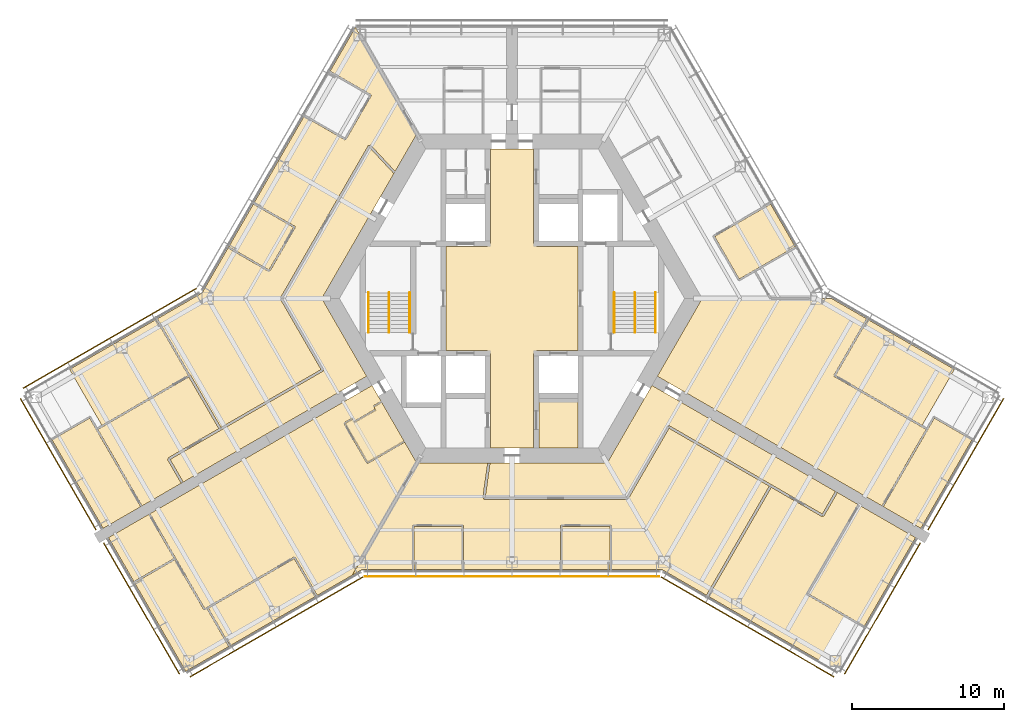
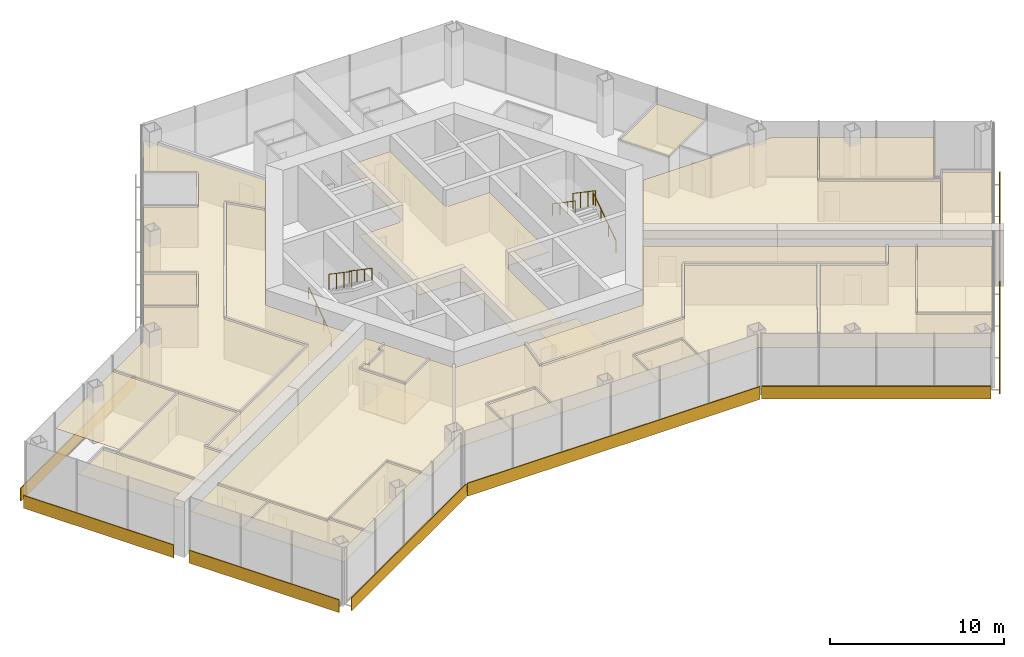
# One storey, part 17 of 18: 24 coverings, 8 shading devices, 6 railings.
"""IFC4 building model written with IfcOpenShell, lengths in metres."""

from ifc_helpers import new_model, si_unit, direction, frame, origin, origin_2d, place, context, subcontext, project, spatial, polyline, rectangle, circle, outline, extrude, material, layer, layer_set, type_object, element, save


model = new_model("IFC4")

# Units and contexts
model_context = context("Model", 3, precision=1e-05, world=origin(), true_north=direction((0.0, 1.0)))
body_context = subcontext(model_context, "Body", "Model", "MODEL_VIEW")
ifc_project = project(units=[si_unit("LENGTHUNIT", "METRE"), si_unit("AREAUNIT", "SQUARE_METRE"), si_unit("VOLUMEUNIT", "CUBIC_METRE"), si_unit("PLANEANGLEUNIT", "RADIAN"), si_unit("MASSUNIT", "GRAM", prefix="KILO")], contexts=[model_context])

# Site, building, storey
site_placement = place(None, origin())
site = spatial("IfcSite", under=ifc_project, at=site_placement, CompositionType="ELEMENT")
building_placement = place(site_placement, origin())
building = spatial("IfcBuilding", under=site, at=building_placement, Name="Kasaneha Research Tower", CompositionType="ELEMENT")
storey_placement = place(building_placement, frame((0.0, 0.0, 183.800048828125)))
storey = spatial("IfcBuildingStorey", under=building, at=storey_placement, Name="L46", CompositionType="ELEMENT", Elevation=183.800048828125)

# Covering
ifc_material_1 = material(Name="Aluminium panel ceiling", Category="aluminium")
ifc_layer_1 = layer(ifc_material_1, 0.0400390625)
ifc_layer_set_1 = layer_set([ifc_layer_1], Name="Lift lobby ceiling 40")
covering_type_1 = type_object("IfcCoveringType", Name="Lift lobby ceiling 40", PredefinedType="CEILING", material=ifc_layer_set_1)
covering_1_placement = place(storey_placement, frame((0.0, 0.0, 2.699951171875)))
element("IfcCovering", 1, at=covering_1_placement, inside=storey, type_object=covering_type_1, Name="Ceiling L46-01", PredefinedType="CEILING", context=body_context, shape_type="SweptSolid", body=[
    extrude(outline(polyline([(1.425048828125, 9.824951171875), (1.425048828125, 3.60009765625), (1.60009765625, 3.60009765625), (1.60009765625, 3.425048828125), (4.324951171875, 3.425048828125), (4.324951171875, -3.425048828125), (1.60009765625, -3.425048828125), (1.60009765625, -3.60009765625), (1.425048828125, -3.60009765625), (1.425048828125, -9.824951171875), (-1.425048828125, -9.824951171875), (-1.425048828125, -3.60009765625), (-1.60009765625, -3.60009765625), (-1.60009765625, -3.425048828125), (-4.324951171875, -3.425048828125), (-4.324951171875, 3.425048828125), (-1.60009765625, 3.425048828125), (-1.60009765625, 3.60009765625), (-1.425048828125, 3.60009765625), (-1.425048828125, 9.824951171875), (1.425048828125, 9.824951171875)])), origin(), (0.0, 0.0, 1.0), 0.0400390625),
])

# Railings
ifc_material_2 = material(Name="Steel", Category="steel")
railing_type_1 = type_object("IfcRailingType", Name="Stair balustrade 1100", PredefinedType="GUARDRAIL", material=ifc_material_2)
for number, where, name in (
    (2, (8.074951171875, 0.375, 2.127197265625), "Stair 1 balustrade L46"),
    (3, (-8.074951171875, 0.375, 2.127197265625), "Stair 2 balustrade L46"),
):
    element("IfcRailing", number, at=place(storey_placement, frame(where)), inside=storey, type_object=railing_type_1, Name=name, PredefinedType="GUARDRAIL", context=body_context, shape_type="SweptSolid", body=[
        extrude(circle(Radius=0.02392578125, at=origin_2d()), frame((0.0, 0.0, 1.076171875), z_axis=(0.0, -0.826240473404, 0.563317565952), x_axis=(1.0, 0.0, 0.0)), (0.0, 0.0, 1.0), 3.14697265625),
        extrude(circle(Radius=0.02099609375, at=origin_2d()), origin(), (0.0, 0.0, 1.0), 1.052001953125),
        extrude(circle(Radius=0.02099609375, at=origin_2d()), frame((0.0, -0.86669921875, 0.5908203125)), (0.0, 0.0, 1.0), 1.052001953125),
        extrude(circle(Radius=0.02099609375, at=origin_2d()), frame((0.0, -1.7333984375, 1.181884765625)), (0.0, 0.0, 1.0), 1.052001953125),
        extrude(circle(Radius=0.02099609375, at=origin_2d()), frame((0.0, -2.60009765625, 1.772705078125)), (0.0, 0.0, 1.0), 1.052001953125),
    ])
ifc_material_3 = material(Name="Steel", Category="steel")
railing_type_2 = type_object("IfcRailingType", Name="Stair handrail 850", PredefinedType="HANDRAIL", material=ifc_material_3)
railing_1_placement = place(storey_placement, frame((9.425048828125, -2.22509765625, 0.17724609375)))
element("IfcRailing", 4, at=railing_1_placement, inside=storey, type_object=railing_type_2, Name="Stair 1 handrail L46", PredefinedType="HANDRAIL", context=body_context, shape_type="SweptSolid", body=[
    extrude(circle(Radius=0.02392578125, at=origin_2d()), frame((0.0, 0.0, 0.826171875), z_axis=(0.0, 0.826240473404, 0.563317565952), x_axis=(-1.0, 0.0, 0.0)), (0.0, 0.0, 1.0), 3.14697265625),
    extrude(circle(Radius=0.02099609375, at=origin_2d()), origin(), (0.0, 0.0, 1.0), 0.802001953125),
    extrude(circle(Radius=0.02099609375, at=origin_2d()), frame((0.0, 0.86669921875, 0.5908203125)), (0.0, 0.0, 1.0), 0.802001953125),
    extrude(circle(Radius=0.02099609375, at=origin_2d()), frame((0.0, 1.7333984375, 1.181884765625)), (0.0, 0.0, 1.0), 0.802001953125),
    extrude(circle(Radius=0.02099609375, at=origin_2d()), frame((0.0, 2.60009765625, 1.772705078125)), (0.0, 0.0, 1.0), 0.802001953125),
])
railing_2_placement = place(storey_placement, frame((6.72509765625, 0.375, 2.127197265625)))
element("IfcRailing", 5, at=railing_2_placement, inside=storey, type_object=railing_type_2, Name="Stair 1 handrail L46", PredefinedType="HANDRAIL", context=body_context, shape_type="SweptSolid", body=[
    extrude(circle(Radius=0.02392578125, at=origin_2d()), frame((0.0, 0.0, 0.826171875), z_axis=(0.0, -0.826240473404, 0.563317565952), x_axis=(1.0, 0.0, 0.0)), (0.0, 0.0, 1.0), 3.14697265625),
    extrude(circle(Radius=0.02099609375, at=origin_2d()), origin(), (0.0, 0.0, 1.0), 0.802001953125),
    extrude(circle(Radius=0.02099609375, at=origin_2d()), frame((0.0, -0.86669921875, 0.5908203125)), (0.0, 0.0, 1.0), 0.802001953125),
    extrude(circle(Radius=0.02099609375, at=origin_2d()), frame((0.0, -1.7333984375, 1.181884765625)), (0.0, 0.0, 1.0), 0.802001953125),
    extrude(circle(Radius=0.02099609375, at=origin_2d()), frame((0.0, -2.60009765625, 1.772705078125)), (0.0, 0.0, 1.0), 0.802001953125),
])
railing_3_placement = place(storey_placement, frame((-9.425048828125, -2.22509765625, 0.17724609375)))
element("IfcRailing", 6, at=railing_3_placement, inside=storey, type_object=railing_type_2, Name="Stair 2 handrail L46", PredefinedType="HANDRAIL", context=body_context, shape_type="SweptSolid", body=[
    extrude(circle(Radius=0.02392578125, at=origin_2d()), frame((0.0, 0.0, 0.826171875), z_axis=(0.0, 0.826240473404, 0.563317565952), x_axis=(-1.0, 0.0, 0.0)), (0.0, 0.0, 1.0), 3.14697265625),
    extrude(circle(Radius=0.02099609375, at=origin_2d()), origin(), (0.0, 0.0, 1.0), 0.802001953125),
    extrude(circle(Radius=0.02099609375, at=origin_2d()), frame((0.0, 0.86669921875, 0.5908203125)), (0.0, 0.0, 1.0), 0.802001953125),
    extrude(circle(Radius=0.02099609375, at=origin_2d()), frame((0.0, 1.7333984375, 1.181884765625)), (0.0, 0.0, 1.0), 0.802001953125),
    extrude(circle(Radius=0.02099609375, at=origin_2d()), frame((0.0, 2.60009765625, 1.772705078125)), (0.0, 0.0, 1.0), 0.802001953125),
])
railing_4_placement = place(storey_placement, frame((-6.72509765625, 0.375, 2.127197265625)))
element("IfcRailing", 7, at=railing_4_placement, inside=storey, type_object=railing_type_2, Name="Stair 2 handrail L46", PredefinedType="HANDRAIL", context=body_context, shape_type="SweptSolid", body=[
    extrude(circle(Radius=0.02392578125, at=origin_2d()), frame((0.0, 0.0, 0.826171875), z_axis=(0.0, -0.826240473404, 0.563317565952), x_axis=(1.0, 0.0, 0.0)), (0.0, 0.0, 1.0), 3.14697265625),
    extrude(circle(Radius=0.02099609375, at=origin_2d()), origin(), (0.0, 0.0, 1.0), 0.802001953125),
    extrude(circle(Radius=0.02099609375, at=origin_2d()), frame((0.0, -0.86669921875, 0.5908203125)), (0.0, 0.0, 1.0), 0.802001953125),
    extrude(circle(Radius=0.02099609375, at=origin_2d()), frame((0.0, -1.7333984375, 1.181884765625)), (0.0, 0.0, 1.0), 0.802001953125),
    extrude(circle(Radius=0.02099609375, at=origin_2d()), frame((0.0, -2.60009765625, 1.772705078125)), (0.0, 0.0, 1.0), 0.802001953125),
])

# Coverings
ifc_material_4 = material(Name="Gypsum ceiling board", Category="gypsum")
ifc_layer_2 = layer(ifc_material_4, 0.02001953125)
ifc_layer_set_2 = layer_set([ifc_layer_2], Name="Suspended ceiling 20")
covering_type_2 = type_object("IfcCoveringType", Name="Suspended ceiling 20", PredefinedType="CEILING", material=ifc_layer_set_2)
covering_2_placement = place(storey_placement, frame((0.0, 0.0, 2.800048828125)))
element("IfcCovering", 8, at=covering_2_placement, inside=storey, type_object=covering_type_2, Name="Ceiling L46-27", PredefinedType="CEILING", context=body_context, shape_type="SweptSolid", body=[
    extrude(outline(polyline([(18.63720703125, 3.360595703125), (18.619873046875, 3.3505859375), (18.5947265625, 3.393798828125), (15.923095703125, 1.851318359375), (15.923095703125, 1.851318359375), (14.931396484375, 1.27880859375), (13.316162109375, 4.076904296875), (16.99658203125, 6.201904296875), (18.63720703125, 3.360595703125)])), origin(), (0.0, 0.0, 1.0), 0.02001953125),
])
covering_3_placement = place(storey_placement, frame((0.0, 0.0, 2.800048828125)))
element("IfcCovering", 9, at=covering_3_placement, inside=storey, type_object=covering_type_2, Name="Ceiling L46-33", PredefinedType="CEILING", context=body_context, shape_type="SweptSolid", body=[
    extrude(outline(polyline([(-9.5498046875, -5.109375), (-10.3291015625, -5.559326171875), (-10.3291015625, -5.559326171875), (-12.17041015625, -6.622314453125), (-21.670166015625, -12.107177734375), (-21.68017578125, -12.08984375), (-21.615234375, -12.05224609375), (-22.4677734375, -10.57568359375), (-19.134033203125, -8.651123046875), (-19.134033203125, -8.651123046875), (-12.404052734375, -4.765380859375), (-12.441650390625, -4.700439453125), (-12.376708984375, -4.6630859375), (-15.06884765625, 0.0), (-9.345947265625, 9.912353515625), (-7.7890625, 8.24267578125), (-7.734130859375, 8.2939453125), (-7.719970703125, 8.278564453125), (-12.49951171875, 0.0), (-9.5498046875, -5.109375)])), origin(), (0.0, 0.0, 1.0), 0.02001953125),
])
covering_4_placement = place(storey_placement, frame((0.0, 0.0, 2.800048828125)))
element("IfcCovering", 10, at=covering_4_placement, inside=storey, type_object=covering_type_2, Name="Ceiling L46-34", PredefinedType="CEILING", context=body_context, shape_type="SweptSolid", body=[
    extrude(outline(polyline([(-23.332275390625, -1.36962890625), (-23.37548828125, -1.39453125), (-21.266845703125, -5.056396484375), (-26.951904296875, -8.339111328125), (-29.074951171875, -4.662109375), (-23.34228515625, -1.352294921875), (-23.332275390625, -1.36962890625)])), origin(), (0.0, 0.0, 1.0), 0.02001953125),
])
covering_5_placement = place(storey_placement, frame((0.0, 0.0, 2.800048828125)))
element("IfcCovering", 11, at=covering_5_placement, inside=storey, type_object=covering_type_2, Name="Ceiling L46-35", PredefinedType="CEILING", context=body_context, shape_type="SweptSolid", body=[
    extrude(outline(polyline([(-30.249755859375, -9.2470703125), (-30.232421875, -9.237060546875), (-30.20751953125, -9.2802734375), (-27.75634765625, -7.865234375), (-27.32080078125, -8.60986328125), (-27.3251953125, -8.612548828125), (-24.408203125, -13.664794921875), (-24.364990234375, -13.639892578125), (-24.35498046875, -13.6572265625), (-24.5517578125, -13.770751953125), (-26.866455078125, -15.107177734375), (-30.249755859375, -9.2470703125)])), origin(), (0.0, 0.0, 1.0), 0.02001953125),
])
covering_6_placement = place(storey_placement, frame((0.0, 0.0, 2.800048828125)))
element("IfcCovering", 12, at=covering_6_placement, inside=storey, type_object=covering_type_2, Name="Ceiling L46-37", PredefinedType="CEILING", context=body_context, shape_type="SweptSolid", body=[
    extrude(outline(polyline([(-16.99658203125, 6.201904296875), (-14.355224609375, 4.677001953125), (-15.970703125, 1.87890625), (-18.5947265625, 3.393798828125), (-18.619873046875, 3.3505859375), (-18.63720703125, 3.360595703125), (-16.99658203125, 6.201904296875)])), origin(), (0.0, 0.0, 1.0), 0.02001953125),
])
covering_7_placement = place(storey_placement, frame((0.0, 0.0, 2.800048828125)))
element("IfcCovering", 13, at=covering_7_placement, inside=storey, type_object=covering_type_2, Name="Ceiling L46-38", PredefinedType="CEILING", context=body_context, shape_type="SweptSolid", body=[
    extrude(outline(polyline([(-9.360595703125, 10.037841796875), (-9.360595703125, 10.037841796875), (-9.425048828125, 10.0751953125), (-15.220458984375, 0.03759765625), (-15.15576171875, 0.000244140625), (-15.156005859375, 0.000244140625), (-15.15576171875, -0.000244140625), (-15.220458984375, -0.03759765625), (-12.5439453125, -4.673095703125), (-19.135498046875, -8.478759765625), (-21.12939453125, -5.03466796875), (-21.1552734375, -5.049560546875), (-23.288818359375, -1.3447265625), (-23.331787109375, -1.369384765625), (-23.341796875, -1.35205078125), (-20.365966796875, 0.365966796875), (-18.637451171875, 3.360107421875), (-18.6201171875, 3.35009765625), (-18.644775390625, 3.30712890625), (-15.9775390625, 1.76708984375), (-15.952392578125, 1.810546875), (-15.9521484375, 1.810302734375), (-15.9521484375, 1.810302734375), (-15.9091796875, 1.785400390625), (-14.24365234375, 4.670166015625), (-14.28662109375, 4.695068359375), (-14.28662109375, 4.6953125), (-14.286865234375, 4.695556640625), (-14.261962890625, 4.738525390625), (-16.94677734375, 6.28857421875), (-13.64111328125, 12.01416015625), (-13.62353515625, 12.004150390625), (-13.6484375, 11.961181640625), (-10.981201171875, 10.421142578125), (-10.9560546875, 10.464599609375), (-10.912841796875, 10.439453125), (-9.247314453125, 13.32421875), (-9.290283203125, 13.34912109375), (-9.2900390625, 13.349365234375), (-9.29052734375, 13.349609375), (-9.265625, 13.392578125), (-11.9501953125, 14.9423828125), (-10.28857421875, 17.820556640625), (-6.249755859375, 10.824951171875), (-7.6806640625, 8.346435546875), (-9.305419921875, 10.0888671875), (-9.360107421875, 10.03759765625), (-9.3603515625, 10.03759765625), (-9.360595703125, 10.037841796875)])), origin(), (0.0, 0.0, 1.0), 0.02001953125),
])
covering_8_placement = place(storey_placement, frame((0.0, 0.0, 2.800048828125)))
element("IfcCovering", 14, at=covering_8_placement, inside=storey, type_object=covering_type_2, Name="Ceiling L46-39", PredefinedType="CEILING", context=body_context, shape_type="SweptSolid", body=[
    extrude(outline(polyline([(-24.30615234375, -13.62890625), (-24.3544921875, -13.656982421875), (-24.364501953125, -13.6396484375), (-24.321533203125, -13.61474609375), (-27.213623046875, -8.605712890625), (-21.234130859375, -5.15283203125), (-19.265380859375, -8.5537109375), (-22.607666015625, -10.4833984375), (-22.5703125, -10.54833984375), (-22.63525390625, -10.585693359375), (-21.7451171875, -12.127197265625), (-21.6806640625, -12.090087890625), (-21.670654296875, -12.107421875), (-24.30615234375, -13.62890625)])), origin(), (0.0, 0.0, 1.0), 0.02001953125),
])
covering_9_placement = place(storey_placement, frame((0.0, 0.0, 2.800048828125)))
element("IfcCovering", 15, at=covering_9_placement, inside=storey, type_object=covering_type_2, Name="Ceiling L46-40", PredefinedType="CEILING", context=body_context, shape_type="SweptSolid", body=[
    extrude(outline(polyline([(-10.35498046875, -8.11474609375), (-10.35498046875, -8.11474609375), (-10.330078125, -8.157958984375), (-8.9443359375, -7.35791015625), (-8.994384765625, -7.271240234375), (-8.994384765625, -7.271240234375), (-9.09423828125, -7.09814453125), (-9.09423828125, -7.09814453125), (-9.0693359375, -7.141357421875), (-8.56689453125, -6.851318359375), (-8.592041015625, -6.80810546875), (-8.57470703125, -6.798095703125), (-7.07470703125, -9.396240234375), (-7.092041015625, -9.40625), (-7.116943359375, -9.36279296875), (-9.481201171875, -10.727783203125), (-10.931396484375, -8.21630859375), (-10.455078125, -7.94140625), (-10.35498046875, -8.11474609375)])), origin(), (0.0, 0.0, 1.0), 0.02001953125),
])
covering_10_placement = place(storey_placement, frame((0.0, 0.0, 2.800048828125)))
element("IfcCovering", 16, at=covering_10_placement, inside=storey, type_object=covering_type_2, Name="Ceiling L46-41", PredefinedType="CEILING", context=body_context, shape_type="SweptSolid", body=[
    extrude(outline(polyline([(-18.574951171875, -22.8486328125), (-18.5849609375, -22.831298828125), (-18.541748046875, -22.806396484375), (-19.949951171875, -20.356201171875), (-14.310546875, -17.095703125), (-12.885498046875, -19.563720703125), (-18.574951171875, -22.8486328125)])), origin(), (0.0, 0.0, 1.0), 0.02001953125),
])
covering_11_placement = place(storey_placement, frame((0.0, 0.0, 2.800048828125)))
element("IfcCovering", 17, at=covering_11_placement, inside=storey, type_object=covering_type_2, Name="Ceiling L46-42", PredefinedType="CEILING", context=body_context, shape_type="SweptSolid", body=[
    extrude(outline(polyline([(-20.025146484375, -20.336669921875), (-20.02490234375, -20.337158203125), (-20.0634765625, -20.359375), (-18.62841796875, -22.856201171875), (-18.585205078125, -22.831298828125), (-18.574951171875, -22.84912109375), (-21.44140625, -24.50390625), (-23.13330078125, -21.57373046875), (-20.850341796875, -20.255615234375), (-23.133056640625, -21.573486328125), (-24.7998046875, -18.686767578125), (-22.159423828125, -17.16796875), (-20.24951171875, -20.4658203125), (-20.20263671875, -20.4384765625), (-20.025146484375, -20.336669921875)])), origin(), (0.0, 0.0, 1.0), 0.02001953125),
])
covering_12_placement = place(storey_placement, frame((0.0, 0.0, 2.800048828125)))
element("IfcCovering", 18, at=covering_12_placement, inside=storey, type_object=covering_type_2, Name="Ceiling L46-43", PredefinedType="CEILING", context=body_context, shape_type="SweptSolid", body=[
    extrude(outline(polyline([(-23.83154296875, -14.163330078125), (-23.82177734375, -14.1806640625), (-23.864990234375, -14.20556640625), (-22.20947265625, -17.08154296875), (-24.849609375, -18.60009765625), (-26.516357421875, -15.71337890625), (-23.83154296875, -14.163330078125)])), origin(), (0.0, 0.0, 1.0), 0.02001953125),
])
covering_13_placement = place(storey_placement, frame((0.0, 0.0, 2.800048828125)))
element("IfcCovering", 19, at=covering_13_placement, inside=storey, type_object=covering_type_2, Name="Ceiling L46-44", PredefinedType="CEILING", context=body_context, shape_type="SweptSolid", body=[
    extrude(outline(polyline([(-9.19970703125, -5.715576171875), (-8.574951171875, -6.797607421875), (-8.59228515625, -6.8076171875), (-8.616943359375, -6.764892578125), (-9.119384765625, -7.0546875), (-9.094482421875, -7.09765625), (-9.0947265625, -7.097900390625), (-8.99462890625, -7.271484375), (-10.379638671875, -8.071044921875), (-10.47998046875, -7.897705078125), (-10.480224609375, -7.897705078125), (-10.5048828125, -7.854736328125), (-11.024658203125, -8.15478515625), (-10.999755859375, -8.19775390625), (-11.0, -8.197998046875), (-11.0, -8.1982421875), (-11.04296875, -8.22314453125), (-9.54296875, -10.8212890625), (-9.5, -10.79638671875), (-9.5, -10.796630859375), (-9.49951171875, -10.79638671875), (-9.474609375, -10.839599609375), (-7.06689453125, -9.449462890625), (-7.091796875, -9.40673828125), (-7.074462890625, -9.396728515625), (-6.249755859375, -10.824951171875), (-10.5, -18.1865234375), (-12.798828125, -19.513916015625), (-14.248779296875, -17.002197265625), (-14.2919921875, -17.02734375), (-14.292236328125, -17.02685546875), (-14.29248046875, -17.02685546875), (-14.317138671875, -16.984130859375), (-20.048095703125, -20.29736328125), (-20.025390625, -20.33642578125), (-20.197265625, -20.435546875), (-20.1630859375, -20.41552734375), (-22.100341796875, -17.070556640625), (-23.7783203125, -14.15576171875), (-23.8212890625, -14.180419921875), (-23.831298828125, -14.1630859375), (-10.84521484375, -6.66552734375), (-10.84521484375, -6.66552734375), (-9.979248046875, -6.16552734375), (-9.979248046875, -6.16552734375), (-9.19970703125, -5.715576171875)])), origin(), (0.0, 0.0, 1.0), 0.02001953125),
])
covering_14_placement = place(storey_placement, frame((0.0, 0.0, 2.800048828125)))
element("IfcCovering", 20, at=covering_14_placement, inside=storey, type_object=covering_type_2, Name="Ceiling L46-45", PredefinedType="CEILING", context=body_context, shape_type="SweptSolid", body=[
    extrude(outline(polyline([(26.951904296875, -8.33935546875), (21.260498046875, -5.057861328125), (23.37548828125, -1.39453125), (23.332275390625, -1.36962890625), (23.34228515625, -1.352294921875), (29.074951171875, -4.662109375), (26.951904296875, -8.33935546875)])), origin(), (0.0, 0.0, 1.0), 0.02001953125),
])
covering_15_placement = place(storey_placement, frame((0.0, 0.0, 2.800048828125)))
element("IfcCovering", 21, at=covering_15_placement, inside=storey, type_object=covering_type_2, Name="Ceiling L46-46", PredefinedType="CEILING", context=body_context, shape_type="SweptSolid", body=[
    extrude(outline(polyline([(24.5517578125, -13.770751953125), (24.35498046875, -13.6572265625), (24.364990234375, -13.639892578125), (24.408203125, -13.664794921875), (27.3251953125, -8.612548828125), (27.32080078125, -8.60986328125), (27.75634765625, -7.865234375), (30.20751953125, -9.280029296875), (30.232421875, -9.237060546875), (30.249755859375, -9.2470703125), (26.866455078125, -15.107177734375), (24.5517578125, -13.770751953125)])), origin(), (0.0, 0.0, 1.0), 0.02001953125),
])
covering_16_placement = place(storey_placement, frame((0.0, 0.0, 2.800048828125)))
element("IfcCovering", 22, at=covering_16_placement, inside=storey, type_object=covering_type_2, Name="Ceiling L46-47", PredefinedType="CEILING", context=body_context, shape_type="SweptSolid", body=[
    extrude(outline(polyline([(9.5498046875, -5.109375), (12.49951171875, 0.0), (16.93994140625, 0.0), (16.94287109375, -0.0048828125), (16.951416015625, 0.0), (21.0, 0.0), (23.341796875, -1.35205078125), (23.331787109375, -1.369384765625), (23.288818359375, -1.344482421875), (21.14892578125, -5.05126953125), (21.192138671875, -5.076171875), (21.19189453125, -5.076416015625), (21.19189453125, -5.07666015625), (21.167236328125, -5.11962890625), (27.213623046875, -8.605712890625), (24.321533203125, -13.61474609375), (24.364501953125, -13.6396484375), (24.3544921875, -13.656982421875), (10.3291015625, -5.559326171875), (10.3291015625, -5.559326171875), (9.5498046875, -5.109375)])), origin(), (0.0, 0.0, 1.0), 0.02001953125),
])
covering_17_placement = place(storey_placement, frame((0.0, 0.0, 2.800048828125)))
element("IfcCovering", 23, at=covering_17_placement, inside=storey, type_object=covering_type_2, Name="Ceiling L46-48", PredefinedType="CEILING", context=body_context, shape_type="SweptSolid", body=[
    extrude(outline(polyline([(10.29150390625, -8.424560546875), (10.2265625, -8.386962890625), (7.534423828125, -13.050048828125), (-1.75830078125, -13.050048828125), (-1.449951171875, -10.85546875), (-1.524169921875, -10.844970703125), (-1.521240234375, -10.824951171875), (6.249755859375, -10.824951171875), (9.19970703125, -5.715576171875), (9.979248046875, -6.16552734375), (9.979248046875, -6.16552734375), (10.84521484375, -6.66552734375), (10.84521484375, -6.66552734375), (16.76171875, -10.08154296875), (21.320068359375, -12.71337890625), (21.310302734375, -12.730712890625), (21.245361328125, -12.693115234375), (20.392822265625, -14.169677734375), (17.05029296875, -12.239990234375), (17.05029296875, -12.239990234375), (10.3291015625, -8.359619140625), (10.29150390625, -8.424560546875), (10.29150390625, -8.424560546875), (10.29150390625, -8.424560546875)])), origin(), (0.0, 0.0, 1.0), 0.02001953125),
])
covering_18_placement = place(storey_placement, frame((0.0, 0.0, 2.800048828125)))
element("IfcCovering", 24, at=covering_18_placement, inside=storey, type_object=covering_type_2, Name="Ceiling L46-49", PredefinedType="CEILING", context=body_context, shape_type="SweptSolid", body=[
    extrude(outline(polyline([(3.246337890625, -17.820556640625), (3.246337890625, -17.800537109375), (3.29638671875, -17.800537109375), (3.29638671875, -14.970458984375), (6.44287109375, -14.970458984375), (6.44287109375, -17.800537109375), (6.492919921875, -17.800537109375), (6.492919921875, -17.820556640625), (3.246337890625, -17.820556640625)])), origin(), (0.0, 0.0, 1.0), 0.02001953125),
])
covering_19_placement = place(storey_placement, frame((0.0, 0.0, 2.800048828125)))
element("IfcCovering", 25, at=covering_19_placement, inside=storey, type_object=covering_type_2, Name="Ceiling L46-50", PredefinedType="CEILING", context=body_context, shape_type="SweptSolid", body=[
    extrude(outline(polyline([(-6.492919921875, -17.820556640625), (-6.492919921875, -17.800537109375), (-6.44287109375, -17.800537109375), (-6.44287109375, -14.970458984375), (-3.29638671875, -14.970458984375), (-3.29638671875, -17.800537109375), (-3.246337890625, -17.800537109375), (-3.246337890625, -17.820556640625), (-6.492919921875, -17.820556640625)])), origin(), (0.0, 0.0, 1.0), 0.02001953125),
])
covering_20_placement = place(storey_placement, frame((0.0, 0.0, 2.800048828125)))
element("IfcCovering", 26, at=covering_20_placement, inside=storey, type_object=covering_type_2, Name="Ceiling L46-51", PredefinedType="CEILING", context=body_context, shape_type="SweptSolid", body=[
    extrude(outline(polyline([(23.157958984375, -21.5302734375), (19.477294921875, -19.4052734375), (22.82568359375, -13.605712890625), (22.782470703125, -13.580810546875), (22.79248046875, -13.5634765625), (26.516357421875, -15.71337890625), (23.157958984375, -21.5302734375)])), origin(), (0.0, 0.0, 1.0), 0.02001953125),
])
covering_21_placement = place(storey_placement, frame((0.0, 0.0, 2.800048828125)))
element("IfcCovering", 27, at=covering_21_placement, inside=storey, type_object=covering_type_2, Name="Ceiling L46-52", PredefinedType="CEILING", context=body_context, shape_type="SweptSolid", body=[
    extrude(outline(polyline([(6.492919921875, -14.919921875), (6.492919921875, -14.87060546875), (3.246337890625, -14.87060546875), (3.246337890625, -14.920166015625), (3.24609375, -14.920166015625), (3.24609375, -14.92041015625), (3.1962890625, -14.92041015625), (3.1962890625, -17.800537109375), (3.245849609375, -17.800537109375), (3.245849609375, -17.820556640625), (-3.245849609375, -17.820556640625), (-3.245849609375, -17.800537109375), (-3.1962890625, -17.800537109375), (-3.1962890625, -14.92041015625), (-3.24609375, -14.92041015625), (-3.24609375, -14.920166015625), (-3.246337890625, -14.920166015625), (-3.246337890625, -14.87060546875), (-6.492919921875, -14.87060546875), (-6.492919921875, -14.919921875), (-6.492919921875, -14.919921875), (-6.492919921875, -14.92041015625), (-6.542724609375, -14.92041015625), (-6.542724609375, -17.800537109375), (-6.493408203125, -17.800537109375), (-6.493408203125, -17.820556640625), (-9.865966796875, -17.820556640625), (-10.5, -18.1865234375), (-6.249755859375, -10.824951171875), (-1.52197265625, -10.824951171875), (-1.524658203125, -10.844970703125), (-1.598388671875, -10.83447265625), (-1.9189453125, -13.114501953125), (-1.8447265625, -13.125), (-1.8447265625, -13.12548828125), (-1.844482421875, -13.12548828125), (-1.844482421875, -13.199951171875), (7.57763671875, -13.199951171875), (7.57763671875, -13.12548828125), (7.577880859375, -13.12548828125), (7.577880859375, -13.125244140625), (7.642578125, -13.16259765625), (10.319091796875, -8.52685546875), (16.910400390625, -12.33251953125), (12.77734375, -19.501220703125), (9.865966796875, -17.820556640625), (6.493408203125, -17.820556640625), (6.493408203125, -17.800537109375), (6.542724609375, -17.800537109375), (6.542724609375, -14.92041015625), (6.492919921875, -14.92041015625), (6.492919921875, -14.919921875), (6.492919921875, -14.919921875)])), origin(), (0.0, 0.0, 1.0), 0.02001953125),
])
covering_22_placement = place(storey_placement, frame((0.0, 0.0, 2.800048828125)))
element("IfcCovering", 28, at=covering_22_placement, inside=storey, type_object=covering_type_2, Name="Ceiling L46-53", PredefinedType="CEILING", context=body_context, shape_type="SweptSolid", body=[
    extrude(outline(polyline([(20.42041015625, -14.272216796875), (20.485107421875, -14.309814453125), (21.375244140625, -12.768310546875), (21.310546875, -12.73095703125), (21.320556640625, -12.713623046875), (21.745849609375, -12.959228515625), (22.7919921875, -13.56298828125), (22.781982421875, -13.58056640625), (22.739013671875, -13.5556640625), (19.36572265625, -19.3984375), (19.40869140625, -19.42333984375), (19.40869140625, -19.42333984375), (19.408935546875, -19.423583984375), (19.384033203125, -19.466796875), (23.10791015625, -21.61669921875), (21.44140625, -24.50341796875), (12.9072265625, -19.576416015625), (17.040283203125, -12.407470703125), (20.3828125, -14.337158203125), (20.419921875, -14.272705078125), (20.420166015625, -14.272705078125), (20.42041015625, -14.272216796875)])), origin(), (0.0, 0.0, 1.0), 0.02001953125),
])

# Shading devices
ifc_material_5 = material(Name="Terracotta", Category="masonry")
ifc_layer_3 = layer(ifc_material_5, 0.06005859375)
ifc_layer_set_3 = layer_set([ifc_layer_3], Name="Terracotta baguette screen")
shading_device_type = type_object("IfcShadingDeviceType", Name="Terracotta baguette screen", PredefinedType="USERDEFINED", material=ifc_layer_set_3)
shading_device_1_placement = place(storey_placement, frame((0.0, -18.2705078125, -0.449951171875), z_axis=(0.0, 0.0, 1.0), x_axis=(1.0, 0.0, 0.0)))
element("IfcShadingDevice", 29, at=shading_device_1_placement, inside=storey, type_object=shading_device_type, Name="Baguette screen L46 01", ObjectType="TERRACOTTA BAGUETTE SCREEN", PredefinedType="USERDEFINED", context=body_context, shape_type="SweptSolid", body=[
    extrude(rectangle(XDim=19.37841796875, YDim=0.06005859375, at=origin_2d()), origin(), (0.0, 0.0, 1.0), 0.89990234375),
])
shading_device_2_placement = place(storey_placement, frame((15.483642578125, -21.58349609375, -0.449951171875), z_axis=(0.0, 0.0, 1.0), x_axis=(0.866025411464, -0.499999986699, 0.0)))
element("IfcShadingDevice", 30, at=shading_device_2_placement, inside=storey, type_object=shading_device_type, Name="Baguette screen L46 02", ObjectType="TERRACOTTA BAGUETTE SCREEN", PredefinedType="USERDEFINED", context=body_context, shape_type="SweptSolid", body=[
    extrude(rectangle(XDim=13.13916015625, YDim=0.06005859375, at=origin_2d()), origin(), (0.0, 0.0, 1.0), 0.89990234375),
])
for number, where, z_axis, x_axis, name in (
    (31, (24.343505859375, -20.376708984375, -0.449951171875), (0.0, 0.0, 1.0), (0.500000011442, 0.866025397178, 0.0), "Baguette screen L46 03"),
    (32, (29.818603515625, -10.893798828125, -0.449951171875), (0.0, 0.0, 1.0), (0.500000011442, 0.866025397178, 0.0), "Baguette screen L46 04"),
):
    element("IfcShadingDevice", number, at=place(storey_placement, frame(where, z_axis=z_axis, x_axis=x_axis)), inside=storey, type_object=shading_device_type, Name=name, ObjectType="TERRACOTTA BAGUETTE SCREEN", PredefinedType="USERDEFINED", context=body_context, shape_type="SweptSolid", body=[
        extrude(rectangle(XDim=9.949951171875, YDim=0.06005859375, at=origin_2d()), origin(), (0.0, 0.0, 1.0), 0.89990234375),
    ])
shading_device_3_placement = place(storey_placement, frame((-26.43359375, -2.617431640625, -0.449951171875), z_axis=(0.0, 0.0, 1.0), x_axis=(-0.866025411464, -0.499999986699, 0.0)))
element("IfcShadingDevice", 33, at=shading_device_3_placement, inside=storey, type_object=shading_device_type, Name="Baguette screen L46 09", ObjectType="TERRACOTTA BAGUETTE SCREEN", PredefinedType="USERDEFINED", context=body_context, shape_type="SweptSolid", body=[
    extrude(rectangle(XDim=13.13916015625, YDim=0.06005859375, at=origin_2d()), origin(), (0.0, 0.0, 1.0), 0.89990234375),
])
for number, where, z_axis, x_axis, name in (
    (34, (-29.818603515625, -10.893798828125, -0.449951171875), (0.0, 0.0, 1.0), (0.500000011442, -0.866025397178, 0.0), "Baguette screen L46 10"),
    (35, (-24.343505859375, -20.376708984375, -0.449951171875), (0.0, 0.0, 1.0), (0.500000011442, -0.866025397178, 0.0), "Baguette screen L46 11"),
):
    element("IfcShadingDevice", number, at=place(storey_placement, frame(where, z_axis=z_axis, x_axis=x_axis)), inside=storey, type_object=shading_device_type, Name=name, ObjectType="TERRACOTTA BAGUETTE SCREEN", PredefinedType="USERDEFINED", context=body_context, shape_type="SweptSolid", body=[
        extrude(rectangle(XDim=9.949951171875, YDim=0.06005859375, at=origin_2d()), origin(), (0.0, 0.0, 1.0), 0.89990234375),
    ])
shading_device_4_placement = place(storey_placement, frame((-15.483642578125, -21.58349609375, -0.449951171875), z_axis=(0.0, 0.0, 1.0), x_axis=(0.866025411464, 0.499999986699, 0.0)))
element("IfcShadingDevice", 36, at=shading_device_4_placement, inside=storey, type_object=shading_device_type, Name="Baguette screen L46 12", ObjectType="TERRACOTTA BAGUETTE SCREEN", PredefinedType="USERDEFINED", context=body_context, shape_type="SweptSolid", body=[
    extrude(rectangle(XDim=13.13916015625, YDim=0.06005859375, at=origin_2d()), origin(), (0.0, 0.0, 1.0), 0.89990234375),
])

# Coverings
ifc_material_6 = material(Name="Vinyl sheet flooring", Category="plastic")
ifc_layer_4 = layer(ifc_material_6, 0.0048828125)
ifc_layer_set_4 = layer_set([ifc_layer_4], Name="Wet room sheet flooring 5")
covering_type_3 = type_object("IfcCoveringType", Name="Wet room sheet flooring 5", PredefinedType="FLOORING", material=ifc_layer_set_4)
covering_23_placement = place(storey_placement, origin())
element("IfcCovering", 37, at=covering_23_placement, inside=storey, type_object=covering_type_3, Name="Floor finish L46-11", PredefinedType="FLOORING", context=body_context, shape_type="SweptSolid", body=[
    extrude(outline(polyline([(1.77490234375, -9.824951171875), (1.77490234375, -6.574951171875), (4.324951171875, -6.574951171875), (4.324951171875, -9.824951171875), (1.77490234375, -9.824951171875)])), origin(), (0.0, 0.0, 1.0), 0.0048828125),
])
covering_24_placement = place(storey_placement, origin())
element("IfcCovering", 38, at=covering_24_placement, inside=storey, type_object=covering_type_3, Name="Floor finish L46-40", PredefinedType="FLOORING", context=body_context, shape_type="SweptSolid", body=[
    extrude(outline(polyline([(-10.99951171875, -8.1982421875), (-10.47998046875, -7.898193359375), (-10.35498046875, -8.11474609375), (-8.96923828125, -7.314697265625), (-9.09423828125, -7.09814453125), (-8.57470703125, -6.798095703125), (-7.07470703125, -9.396240234375), (-9.49951171875, -10.796142578125), (-10.99951171875, -8.1982421875)])), origin(), (0.0, 0.0, 1.0), 0.0048828125),
])

save(model, "model.ifc")
